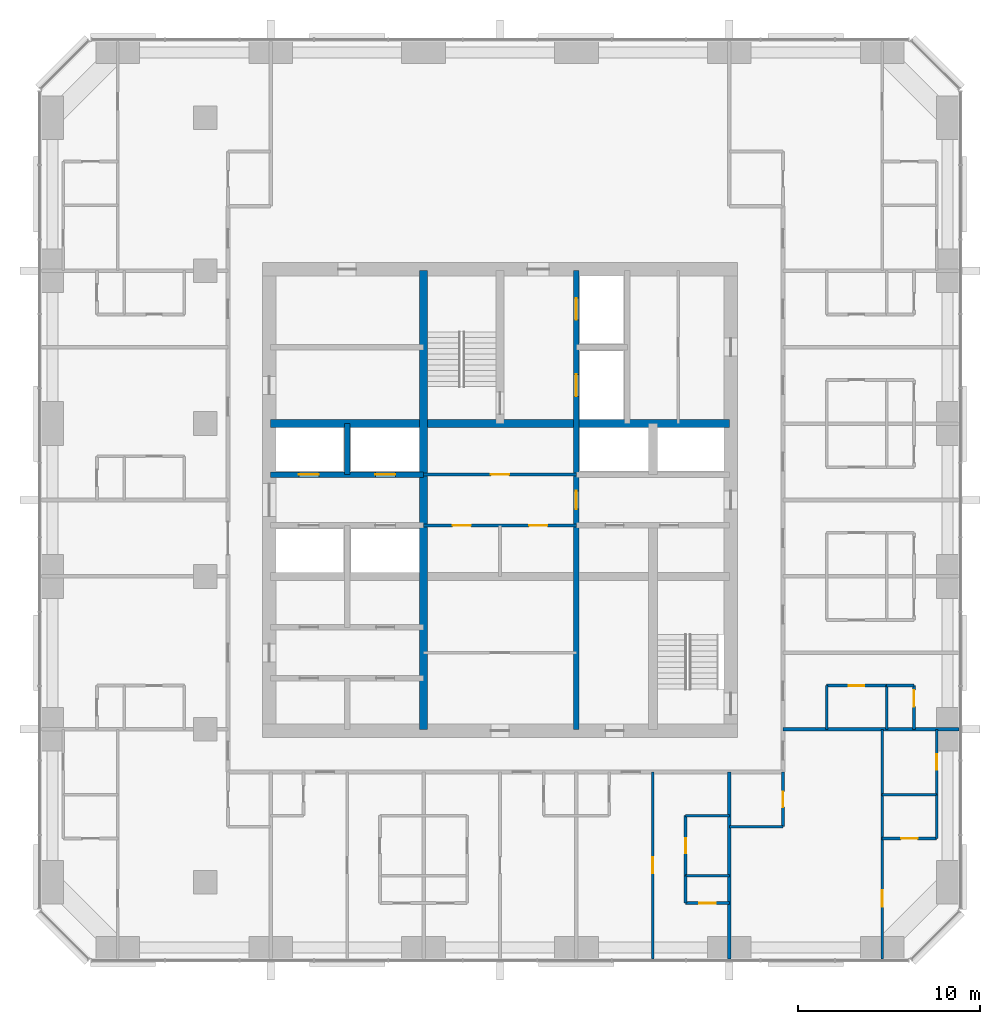
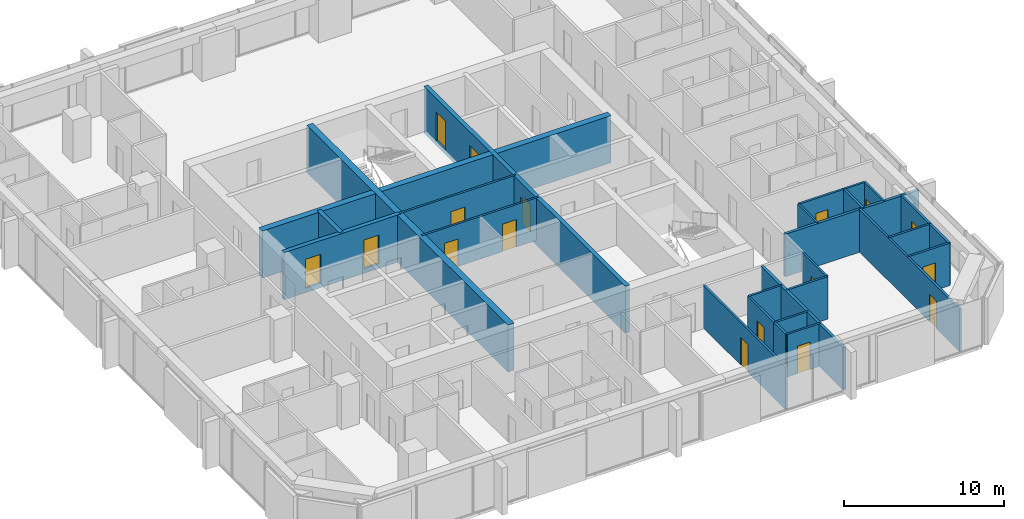
# One storey, part 10 of 14: 27 walls, 17 doors, 17 openings.
"""IFC4 building model written with IfcOpenShell, lengths in metres."""

from ifc_helpers import new_model, si_unit, direction, frame, frame_2d, origin, place, context, subcontext, project, spatial, rectangle, extrude, material, layer, layer_set, type_object, element, fill, save


model = new_model("IFC4")

# Units and contexts
model_context = context("Model", 3, precision=1e-05, world=origin(), true_north=direction((0.0, 1.0)))
body_context = subcontext(model_context, "Body", "Model", "MODEL_VIEW")
ifc_project = project(units=[si_unit("LENGTHUNIT", "METRE"), si_unit("AREAUNIT", "SQUARE_METRE"), si_unit("VOLUMEUNIT", "CUBIC_METRE"), si_unit("PLANEANGLEUNIT", "RADIAN"), si_unit("MASSUNIT", "GRAM", prefix="KILO")], contexts=[model_context])

# Site, building, storey
site_placement = place(None, origin())
site = spatial("IfcSite", under=ifc_project, at=site_placement, CompositionType="ELEMENT")
building_placement = place(site_placement, origin())
building = spatial("IfcBuilding", under=site, at=building_placement, Name="Dunama Terrace Hotel", CompositionType="ELEMENT")
storey_placement = place(building_placement, frame((0.0, 0.0, 177.0)))
storey = spatial("IfcBuildingStorey", under=building, at=storey_placement, Name="L45", CompositionType="ELEMENT", Elevation=177.0)

# Wall, opening, door
ifc_material_1 = material(Name="Gypsum board partition", Category="masonry")
ifc_layer_1 = layer(ifc_material_1, 0.14990234375)
ifc_layer_set_1 = layer_set([ifc_layer_1], Name="Bathroom partition 150")
wall_type_1 = type_object("IfcWallType", Name="Bathroom partition 150", PredefinedType="PARTITIONING", material=ifc_layer_set_1)
wall_1_placement = place(storey_placement, frame((39.60009765625, 8.75, 0.0), z_axis=(0.0, 0.0, 1.0), x_axis=(0.0, 1.0, 0.0)))
wall_1 = element("IfcWall", 1, at=wall_1_placement, inside=storey, type_object=wall_type_1, Name="Bathroom partition 150 L45", PredefinedType="PARTITIONING", context=body_context, shape_type="SweptSolid", body=[
    extrude(rectangle(XDim=3.300048828125, YDim=0.14990234375, at=frame_2d((1.64990234375, 0.0))), origin(), (0.0, 0.0, 1.0), 3.25),
])
opening_1_placement = place(wall_1_placement, frame((1.22509765625, 0.0, 0.0)))
opening_1 = element("IfcOpeningElement", 2, at=opening_1_placement, cuts=wall_1, Name="Opening L45-022", PredefinedType="OPENING", context=body_context, shape_type="SweptSolid", body=[
    extrude(rectangle(XDim=0.85009765625, YDim=2.10009765625, at=frame_2d((0.425048828125, 1.050048828125))), frame((0.0, 0.0849609375, 0.0), z_axis=(0.0, -1.0, 0.0), x_axis=(1.0, 0.0, 0.0)), (0.0, 0.0, 1.0), 0.169921875),
])
ifc_material_2 = material(Name="Timber door with steel frame", Category="steel")
door_type_1 = type_object("IfcDoorType", Name="Bathroom door 850", OperationType="SINGLE_SWING_LEFT", PredefinedType="DOOR", material=ifc_material_2)
door_1_placement = place(opening_1_placement, frame((0.85009765625, 0.0, 0.0), z_axis=(0.0, 0.0, 1.0), x_axis=(-1.0, 0.0, 0.0)))
door_1 = element("IfcDoor", 3, at=door_1_placement, inside=storey, type_object=door_type_1, Name="Door to en-suite bathroom L45-022, type D2", OperationType="SINGLE_SWING_RIGHT", OverallHeight=2.10009765625, OverallWidth=0.85009765625, PredefinedType="DOOR", context=body_context, shape_type="SweptSolid", body=[
    extrude(rectangle(XDim=0.85009765625, YDim=2.10009765625, at=frame_2d((0.425048828125, 1.050048828125))), frame((0.0, 0.025146484375, 0.0), z_axis=(0.0, -1.0, 0.0), x_axis=(1.0, 0.0, 0.0)), (0.0, 0.0, 1.0), 0.050048828125),
])
fill(opening_1, door_1)

wall_2_placement = place(storey_placement, frame((44.949951171875, 11.449951171875, 0.0), z_axis=(0.0, 0.0, 1.0), x_axis=(0.0, 1.0, 0.0)))
wall_2 = element("IfcWall", 4, at=wall_2_placement, inside=storey, type_object=wall_type_1, Name="Bathroom partition 150 L45", PredefinedType="PARTITIONING", context=body_context, shape_type="SweptSolid", body=[
    extrude(rectangle(XDim=3.0, YDim=0.14990234375, at=frame_2d((1.5, 0.0))), origin(), (0.0, 0.0, 1.0), 3.25),
])
opening_2_placement = place(wall_2_placement, frame((1.074951171875, 0.0, 0.0)))
opening_2 = element("IfcOpeningElement", 5, at=opening_2_placement, cuts=wall_2, Name="Opening L45-058", PredefinedType="OPENING", context=body_context, shape_type="SweptSolid", body=[
    extrude(rectangle(XDim=0.85009765625, YDim=2.10009765625, at=frame_2d((0.425048828125, 1.050048828125))), frame((0.0, 0.0849609375, 0.0), z_axis=(0.0, -1.0, 0.0), x_axis=(1.0, 0.0, 0.0)), (0.0, 0.0, 1.0), 0.169921875),
])
door_2_placement = place(opening_2_placement, origin())
door_2 = element("IfcDoor", 6, at=door_2_placement, inside=storey, type_object=door_type_1, Name="Door to powder room L45-058, type D2", OperationType="SINGLE_SWING_RIGHT", OverallHeight=2.10009765625, OverallWidth=0.85009765625, PredefinedType="DOOR", context=body_context, shape_type="SweptSolid", body=[
    extrude(rectangle(XDim=0.85009765625, YDim=2.10009765625, at=frame_2d((0.425048828125, 1.050048828125))), frame((0.0, 0.02490234375, 0.0), z_axis=(0.0, -1.0, 0.0), x_axis=(1.0, 0.0, 0.0)), (0.0, 0.0, 1.0), 0.050048828125),
])
fill(opening_2, door_2)

# Wall
wall_3_placement = place(storey_placement, frame((47.35009765625, 16.800048828125, 0.0), z_axis=(0.0, 0.0, 1.0), x_axis=(0.0, 1.0, 0.0)))
element("IfcWall", 7, at=wall_3_placement, inside=storey, type_object=wall_type_1, Name="Bathroom partition 150 L45", PredefinedType="PARTITIONING", context=body_context, shape_type="SweptSolid", body=[
    extrude(rectangle(XDim=2.39990234375, YDim=0.14990234375, at=frame_2d((1.199951171875, 0.0))), origin(), (0.0, 0.0, 1.0), 3.25),
])

# Wall, opening, door
wall_4_placement = place(storey_placement, frame((53.39990234375, 13.199951171875, 0.0), z_axis=(0.0, 0.0, 1.0), x_axis=(0.0, 1.0, 0.0)))
wall_4 = element("IfcWall", 8, at=wall_4_placement, inside=storey, type_object=wall_type_1, Name="Bathroom partition 150 L45", PredefinedType="PARTITIONING", context=body_context, shape_type="SweptSolid", body=[
    extrude(rectangle(XDim=3.60009765625, YDim=0.14990234375, at=frame_2d((1.800048828125, 0.0))), origin(), (0.0, 0.0, 1.0), 3.25),
])
opening_3_placement = place(wall_4_placement, frame((1.375, 0.0, 0.0)))
opening_3 = element("IfcOpeningElement", 9, at=opening_3_placement, cuts=wall_4, Name="Opening L45-060", PredefinedType="OPENING", context=body_context, shape_type="SweptSolid", body=[
    extrude(rectangle(XDim=0.85009765625, YDim=2.10009765625, at=frame_2d((0.425048828125, 1.050048828125))), frame((0.0, 0.0849609375, 0.0), z_axis=(0.0, -1.0, 0.0), x_axis=(1.0, 0.0, 0.0)), (0.0, 0.0, 1.0), 0.169921875),
])
door_3_placement = place(opening_3_placement, origin())
door_3 = element("IfcDoor", 10, at=door_3_placement, inside=storey, type_object=door_type_1, Name="Door to en-suite bathroom L45-060, type D2", OperationType="SINGLE_SWING_RIGHT", OverallHeight=2.10009765625, OverallWidth=0.85009765625, PredefinedType="DOOR", context=body_context, shape_type="SweptSolid", body=[
    extrude(rectangle(XDim=0.85009765625, YDim=2.10009765625, at=frame_2d((0.425048828125, 1.050048828125))), frame((0.0, 0.02490234375, 0.0), z_axis=(0.0, -1.0, 0.0), x_axis=(1.0, 0.0, 0.0)), (0.0, 0.0, 1.0), 0.050048828125),
])
fill(opening_3, door_3)

# Walls
wall_5_placement = place(storey_placement, frame((42.0, 11.449951171875, 0.0), z_axis=(0.0, 0.0, 1.0), x_axis=(1.0, 0.0, 0.0)))
element("IfcWall", 11, at=wall_5_placement, inside=storey, type_object=wall_type_1, Name="Bathroom partition 150 L45", PredefinedType="PARTITIONING", context=body_context, shape_type="SweptSolid", body=[
    extrude(rectangle(XDim=2.949951171875, YDim=0.14990234375, at=frame_2d((1.47509765625, 0.0))), origin(), (0.0, 0.0, 1.0), 3.25),
])
wall_6_placement = place(storey_placement, frame((39.60009765625, 12.050048828125, 0.0), z_axis=(0.0, 0.0, 1.0), x_axis=(1.0, 0.0, 0.0)))
element("IfcWall", 12, at=wall_6_placement, inside=storey, type_object=wall_type_1, Name="Bathroom partition 150 L45", PredefinedType="PARTITIONING", context=body_context, shape_type="SweptSolid", body=[
    extrude(rectangle(XDim=2.39990234375, YDim=0.14990234375, at=frame_2d((1.199951171875, 0.0))), origin(), (0.0, 0.0, 1.0), 3.25),
])

# Wall, opening, door
wall_7_placement = place(storey_placement, frame((47.35009765625, 19.199951171875, 0.0), z_axis=(0.0, 0.0, 1.0), x_axis=(1.0, 0.0, 0.0)))
wall_7 = element("IfcWall", 13, at=wall_7_placement, inside=storey, type_object=wall_type_1, Name="Bathroom partition 150 L45", PredefinedType="PARTITIONING", context=body_context, shape_type="SweptSolid", body=[
    extrude(rectangle(XDim=3.2998046875, YDim=0.14990234375, at=frame_2d((1.64990234375, 0.0))), origin(), (0.0, 0.0, 1.0), 3.25),
])
opening_4_placement = place(wall_7_placement, frame((1.22509765625, 0.0, 0.0)))
opening_4 = element("IfcOpeningElement", 14, at=opening_4_placement, cuts=wall_7, Name="Opening L45-025", PredefinedType="OPENING", context=body_context, shape_type="SweptSolid", body=[
    extrude(rectangle(XDim=0.85009765625, YDim=2.10009765625, at=frame_2d((0.425048828125, 1.050048828125))), frame((0.0, 0.0849609375, 0.0), z_axis=(0.0, -1.0, 0.0), x_axis=(1.0, 0.0, 0.0)), (0.0, 0.0, 1.0), 0.169921875),
])
door_4_placement = place(opening_4_placement, frame((0.85009765625, 0.0, 0.0), z_axis=(0.0, 0.0, 1.0), x_axis=(-1.0, 0.0, 0.0)))
door_4 = element("IfcDoor", 15, at=door_4_placement, inside=storey, type_object=door_type_1, Name="Door to en-suite bathroom L45-025, type D2", OperationType="SINGLE_SWING_LEFT", OverallHeight=2.10009765625, OverallWidth=0.85009765625, PredefinedType="DOOR", context=body_context, shape_type="SweptSolid", body=[
    extrude(rectangle(XDim=0.85009765625, YDim=2.10009765625, at=frame_2d((0.425048828125, 1.050048828125))), frame((0.0, 0.025146484375, 0.0), z_axis=(0.0, -1.0, 0.0), x_axis=(1.0, 0.0, 0.0)), (0.0, 0.0, 1.0), 0.050048828125),
])
fill(opening_4, door_4)

# Wall
ifc_material_3 = material(Name="Concrete C50/60", Category="concrete")
ifc_layer_2 = layer(ifc_material_3, 0.300048828125)
ifc_layer_set_2 = layer_set([ifc_layer_2], Name="Core inner wall 300")
wall_type_2 = type_object("IfcWallType", Name="Core inner wall 300", PredefinedType="SHEAR", material=ifc_layer_set_2)
wall_8_placement = place(storey_placement, frame((21.0, 30.800048828125, -0.35009765625), z_axis=(0.0, 0.0, 1.0), x_axis=(0.0, 1.0, 0.0)))
element("IfcWall", 16, at=wall_8_placement, inside=storey, type_object=wall_type_2, Name="Core inner wall 300 L45", PredefinedType="SHEAR", context=body_context, shape_type="SweptSolid", body=[
    extrude(rectangle(XDim=2.800048828125, YDim=0.300048828125, at=frame_2d((1.39990234375, 0.0))), origin(), (0.0, 0.0, 1.0), 3.60009765625),
])

# Wall, openings, doors
wall_9_placement = place(storey_placement, frame((33.60009765625, 16.800048828125, -0.35009765625), z_axis=(0.0, 0.0, 1.0), x_axis=(0.0, 1.0, 0.0)))
wall_9 = element("IfcWall", 17, at=wall_9_placement, inside=storey, type_object=wall_type_2, Name="Core inner wall 300 L45", PredefinedType="SHEAR", context=body_context, shape_type="SweptSolid", body=[
    extrude(rectangle(XDim=25.199951171875, YDim=0.300048828125, at=frame_2d((12.60009765625, 0.0))), origin(), (0.0, 0.0, 1.0), 3.60009765625),
])
opening_5_placement = place(wall_9_placement, frame((22.5, 0.0, 0.35009765625)))
opening_5 = element("IfcOpeningElement", 18, at=opening_5_placement, cuts=wall_9, Name="Opening L45-007", PredefinedType="OPENING", context=body_context, shape_type="SweptSolid", body=[
    extrude(rectangle(XDim=1.199951171875, YDim=2.199951171875, at=frame_2d((0.60009765625, 1.10009765625))), frame((0.0, 0.159912109375, 0.0), z_axis=(0.0, -1.0, 0.0), x_axis=(1.0, 0.0, 0.0)), (0.0, 0.0, 1.0), 0.320068359375),
])
opening_6_placement = place(wall_9_placement, frame((18.300048828125, 0.0, 0.35009765625)))
opening_6 = element("IfcOpeningElement", 19, at=opening_6_placement, cuts=wall_9, Name="Opening L45-008", PredefinedType="OPENING", context=body_context, shape_type="SweptSolid", body=[
    extrude(rectangle(XDim=1.199951171875, YDim=2.199951171875, at=frame_2d((0.60009765625, 1.10009765625))), frame((0.0, 0.159912109375, 0.0), z_axis=(0.0, -1.0, 0.0), x_axis=(1.0, 0.0, 0.0)), (0.0, 0.0, 1.0), 0.320068359375),
])
opening_7_placement = place(wall_9_placement, frame((12.10009765625, 0.0, 0.35009765625)))
opening_7 = element("IfcOpeningElement", 20, at=opening_7_placement, cuts=wall_9, Name="Opening L45-080", PredefinedType="OPENING", context=body_context, shape_type="SweptSolid", body=[
    extrude(rectangle(XDim=1.0, YDim=2.10009765625, at=frame_2d((0.5, 1.050048828125))), frame((0.0, 0.159912109375, 0.0), z_axis=(0.0, -1.0, 0.0), x_axis=(1.0, 0.0, 0.0)), (0.0, 0.0, 1.0), 0.320068359375),
])
ifc_material_4 = material(Name="Stainless steel lift door", Category="steel")
door_type_2 = type_object("IfcDoorType", Name="Firefighting lift landing door 1200", OperationType="DOUBLE_DOOR_SLIDING", PredefinedType="DOOR", material=ifc_material_4)
door_5_placement = place(opening_5_placement, origin())
door_5 = element("IfcDoor", 21, at=door_5_placement, inside=storey, type_object=door_type_2, Name="Landing door FL1 L45-007, type LD2", OperationType="DOUBLE_DOOR_SLIDING", OverallHeight=2.199951171875, OverallWidth=1.199951171875, PredefinedType="DOOR", context=body_context, shape_type="SweptSolid", body=[
    extrude(rectangle(XDim=1.199951171875, YDim=2.199951171875, at=frame_2d((0.60009765625, 1.10009765625))), frame((0.0, 0.02490234375, 0.0), z_axis=(0.0, -1.0, 0.0), x_axis=(1.0, 0.0, 0.0)), (0.0, 0.0, 1.0), 0.050048828125),
])
fill(opening_5, door_5)
door_6_placement = place(opening_6_placement, origin())
door_6 = element("IfcDoor", 22, at=door_6_placement, inside=storey, type_object=door_type_2, Name="Landing door FL2 L45-008, type LD2", OperationType="DOUBLE_DOOR_SLIDING", OverallHeight=2.199951171875, OverallWidth=1.199951171875, PredefinedType="DOOR", context=body_context, shape_type="SweptSolid", body=[
    extrude(rectangle(XDim=1.199951171875, YDim=2.199951171875, at=frame_2d((0.60009765625, 1.10009765625))), frame((0.0, 0.02490234375, 0.0), z_axis=(0.0, -1.0, 0.0), x_axis=(1.0, 0.0, 0.0)), (0.0, 0.0, 1.0), 0.050048828125),
])
fill(opening_6, door_6)
ifc_material_5 = material(Name="Timber door with steel frame", Category="steel")
door_type_3 = type_object("IfcDoorType", Name="Service door 1000", OperationType="SINGLE_SWING_LEFT", PredefinedType="DOOR", material=ifc_material_5)
door_7_placement = place(opening_7_placement, origin())
door_7 = element("IfcDoor", 23, at=door_7_placement, inside=storey, type_object=door_type_3, Name="Door to staff passage L45-080, type D7", OperationType="SINGLE_SWING_LEFT", OverallHeight=2.10009765625, OverallWidth=1.0, PredefinedType="DOOR", context=body_context, shape_type="SweptSolid", body=[
    extrude(rectangle(XDim=1.0, YDim=2.10009765625, at=frame_2d((0.5, 1.050048828125))), frame((0.0, 0.02490234375, 0.0), z_axis=(0.0, -1.0, 0.0), x_axis=(1.0, 0.0, 0.0)), (0.0, 0.0, 1.0), 0.050048828125),
])
fill(opening_7, door_7)

wall_10_placement = place(storey_placement, frame((16.800048828125, 30.800048828125, -0.35009765625), z_axis=(0.0, 0.0, 1.0), x_axis=(1.0, 0.0, 0.0)))
wall_10 = element("IfcWall", 24, at=wall_10_placement, inside=storey, type_object=wall_type_2, Name="Core inner wall 300 L45", PredefinedType="SHEAR", context=body_context, shape_type="SweptSolid", body=[
    extrude(rectangle(XDim=8.39990234375, YDim=0.300048828125, at=frame_2d((4.199951171875, 0.0))), origin(), (0.0, 0.0, 1.0), 3.60009765625),
])
opening_8_placement = place(wall_10_placement, frame((1.550048828125, 0.0, 0.35009765625)))
opening_8 = element("IfcOpeningElement", 25, at=opening_8_placement, cuts=wall_10, Name="Opening L45-005", PredefinedType="OPENING", context=body_context, shape_type="SweptSolid", body=[
    extrude(rectangle(XDim=1.10009765625, YDim=2.199951171875, at=frame_2d((0.550048828125, 1.10009765625))), frame((0.0, 0.159912109375, 0.0), z_axis=(0.0, -1.0, 0.0), x_axis=(1.0, 0.0, 0.0)), (0.0, 0.0, 1.0), 0.320068359375),
])
opening_9_placement = place(wall_10_placement, frame((5.75, 0.0, 0.35009765625)))
opening_9 = element("IfcOpeningElement", 26, at=opening_9_placement, cuts=wall_10, Name="Opening L45-006", PredefinedType="OPENING", context=body_context, shape_type="SweptSolid", body=[
    extrude(rectangle(XDim=1.10009765625, YDim=2.199951171875, at=frame_2d((0.550048828125, 1.10009765625))), frame((0.0, 0.159912109375, 0.0), z_axis=(0.0, -1.0, 0.0), x_axis=(1.0, 0.0, 0.0)), (0.0, 0.0, 1.0), 0.320068359375),
])
ifc_material_6 = material(Name="Stainless steel lift door", Category="steel")
door_type_4 = type_object("IfcDoorType", Name="Lift landing door 1100", OperationType="DOUBLE_DOOR_SLIDING", PredefinedType="DOOR", material=ifc_material_6)
door_8_placement = place(opening_8_placement, origin())
door_8 = element("IfcDoor", 27, at=door_8_placement, inside=storey, type_object=door_type_4, Name="Landing door PC3 L45-005, type LD1", OperationType="DOUBLE_DOOR_SLIDING", OverallHeight=2.199951171875, OverallWidth=1.10009765625, PredefinedType="DOOR", context=body_context, shape_type="SweptSolid", body=[
    extrude(rectangle(XDim=1.10009765625, YDim=2.199951171875, at=frame_2d((0.550048828125, 1.10009765625))), frame((0.0, 0.02490234375, 0.0), z_axis=(0.0, -1.0, 0.0), x_axis=(1.0, 0.0, 0.0)), (0.0, 0.0, 1.0), 0.050048828125),
])
fill(opening_8, door_8)
door_9_placement = place(opening_9_placement, origin())
door_9 = element("IfcDoor", 28, at=door_9_placement, inside=storey, type_object=door_type_4, Name="Landing door PC4 L45-006, type LD1", OperationType="DOUBLE_DOOR_SLIDING", OverallHeight=2.199951171875, OverallWidth=1.10009765625, PredefinedType="DOOR", context=body_context, shape_type="SweptSolid", body=[
    extrude(rectangle(XDim=1.10009765625, YDim=2.199951171875, at=frame_2d((0.550048828125, 1.10009765625))), frame((0.0, 0.02490234375, 0.0), z_axis=(0.0, -1.0, 0.0), x_axis=(1.0, 0.0, 0.0)), (0.0, 0.0, 1.0), 0.050048828125),
])
fill(opening_9, door_9)

# Walls
ifc_material_7 = material(Name="Concrete C50/60", Category="concrete")
ifc_layer_3 = layer(ifc_material_7, 0.449951171875)
ifc_layer_set_3 = layer_set([ifc_layer_3], Name="Core inner wall 450")
wall_type_3 = type_object("IfcWallType", Name="Core inner wall 450", PredefinedType="SHEAR", material=ifc_layer_set_3)
for number, where, z_axis, x_axis, name in (
    (29, (25.199951171875, 16.800048828125, -0.35009765625), (0.0, 0.0, 1.0), (0.0, 1.0, 0.0), "Core inner wall 450 L45"),
    (30, (16.800048828125, 33.60009765625, -0.35009765625), (0.0, 0.0, 1.0), (1.0, 0.0, 0.0), "Core inner wall 450 L45"),
):
    element("IfcWall", number, at=place(storey_placement, frame(where, z_axis=z_axis, x_axis=x_axis)), inside=storey, type_object=wall_type_3, Name=name, PredefinedType="SHEAR", context=body_context, shape_type="SweptSolid", body=[
        extrude(rectangle(XDim=25.199951171875, YDim=0.449951171875, at=frame_2d((12.60009765625, 0.0))), origin(), (0.0, 0.0, 1.0), 3.60009765625),
    ])
ifc_material_8 = material(Name="Concrete blockwork", Category="masonry")
ifc_layer_4 = layer(ifc_material_8, 0.199951171875)
ifc_layer_set_4 = layer_set([ifc_layer_4], Name="Party wall 200")
wall_type_4 = type_object("IfcWallType", Name="Party wall 200", PredefinedType="PARTITIONING", material=ifc_layer_set_4)
wall_11_placement = place(storey_placement, frame((42.0, 4.181884765625, 0.0), z_axis=(0.0, 0.0, 1.0), x_axis=(0.0, 1.0, 0.0)))
element("IfcWall", 31, at=wall_11_placement, inside=storey, type_object=wall_type_4, Name="Party wall 200 L45", PredefinedType="PARTITIONING", context=body_context, shape_type="SweptSolid", body=[
    extrude(rectangle(XDim=10.26806640625, YDim=0.199951171875, at=frame_2d((5.134033203125, 0.0))), origin(), (0.0, 0.0, 1.0), 3.25),
])
wall_12_placement = place(storey_placement, frame((44.949951171875, 16.800048828125, 0.0), z_axis=(0.0, 0.0, 1.0), x_axis=(1.0, 0.0, 0.0)))
element("IfcWall", 32, at=wall_12_placement, inside=storey, type_object=wall_type_4, Name="Party wall 200 L45", PredefinedType="PARTITIONING", context=body_context, shape_type="SweptSolid", body=[
    extrude(rectangle(XDim=9.66796875, YDim=0.199951171875, at=frame_2d((4.833984375, 0.0))), origin(), (0.0, 0.0, 1.0), 3.25),
])

# Wall, opening, door
ifc_material_9 = material(Name="Gypsum board partition", Category="masonry")
ifc_layer_5 = layer(ifc_material_9, 0.14990234375)
ifc_layer_set_5 = layer_set([ifc_layer_5], Name="Room partition 150")
wall_type_5 = type_object("IfcWallType", Name="Room partition 150", PredefinedType="PARTITIONING", material=ifc_layer_set_5)
wall_13_placement = place(storey_placement, frame((37.800048828125, 4.181884765625, 0.0), z_axis=(0.0, 0.0, 1.0), x_axis=(0.0, 1.0, 0.0)))
wall_13 = element("IfcWall", 33, at=wall_13_placement, inside=storey, type_object=wall_type_5, Name="Room partition 150 L45", PredefinedType="PARTITIONING", context=body_context, shape_type="SweptSolid", body=[
    extrude(rectangle(XDim=10.26806640625, YDim=0.14990234375, at=frame_2d((5.134033203125, 0.0))), origin(), (0.0, 0.0, 1.0), 3.25),
])
opening_10_placement = place(wall_13_placement, frame((4.693115234375, 0.0, 0.0)))
opening_10 = element("IfcOpeningElement", 34, at=opening_10_placement, cuts=wall_13, Name="Opening L45-021", PredefinedType="OPENING", context=body_context, shape_type="SweptSolid", body=[
    extrude(rectangle(XDim=0.89990234375, YDim=2.10009765625, at=frame_2d((0.449951171875, 1.050048828125))), frame((0.0, 0.0849609375, 0.0), z_axis=(0.0, -1.0, 0.0), x_axis=(1.0, 0.0, 0.0)), (0.0, 0.0, 1.0), 0.169921875),
])
ifc_material_10 = material(Name="Timber door with steel frame", Category="steel")
door_type_5 = type_object("IfcDoorType", Name="Suite internal door 900", OperationType="SINGLE_SWING_LEFT", PredefinedType="DOOR", material=ifc_material_10)
door_10_placement = place(opening_10_placement, frame((0.89990234375, 0.0, 0.0), z_axis=(0.0, 0.0, 1.0), x_axis=(-1.0, 0.0, 0.0)))
door_10 = element("IfcDoor", 35, at=door_10_placement, inside=storey, type_object=door_type_5, Name="Door to executive club suite bedroom L45-021, type D16", OperationType="SINGLE_SWING_RIGHT", OverallHeight=2.10009765625, OverallWidth=0.89990234375, PredefinedType="DOOR", context=body_context, shape_type="SweptSolid", body=[
    extrude(rectangle(XDim=0.89990234375, YDim=2.10009765625, at=frame_2d((0.449951171875, 1.050048828125))), frame((0.0, 0.025146484375, 0.0), z_axis=(0.0, -1.0, 0.0), x_axis=(1.0, 0.0, 0.0)), (0.0, 0.0, 1.0), 0.050048828125),
])
fill(opening_10, door_10)

# Wall
wall_14_placement = place(storey_placement, frame((39.60009765625, 7.25, 0.0), z_axis=(0.0, 0.0, 1.0), x_axis=(0.0, 1.0, 0.0)))
element("IfcWall", 36, at=wall_14_placement, inside=storey, type_object=wall_type_5, Name="Room partition 150 L45", PredefinedType="PARTITIONING", context=body_context, shape_type="SweptSolid", body=[
    extrude(rectangle(XDim=1.5, YDim=0.14990234375, at=frame_2d((0.75, 0.0))), origin(), (0.0, 0.0, 1.0), 3.25),
])

# Wall, opening, door
wall_15_placement = place(storey_placement, frame((50.39990234375, 4.181884765625, 0.0), z_axis=(0.0, 0.0, 1.0), x_axis=(0.0, 1.0, 0.0)))
wall_15 = element("IfcWall", 37, at=wall_15_placement, inside=storey, type_object=wall_type_5, Name="Room partition 150 L45", PredefinedType="PARTITIONING", context=body_context, shape_type="SweptSolid", body=[
    extrude(rectangle(XDim=12.6181640625, YDim=0.14990234375, at=frame_2d((6.30908203125, 0.0))), origin(), (0.0, 0.0, 1.0), 3.25),
])
opening_11_placement = place(wall_15_placement, frame((2.867919921875, 0.0, 0.0)))
opening_11 = element("IfcOpeningElement", 38, at=opening_11_placement, cuts=wall_15, Name="Opening L45-059", PredefinedType="OPENING", context=body_context, shape_type="SweptSolid", body=[
    extrude(rectangle(XDim=0.89990234375, YDim=2.10009765625, at=frame_2d((0.449951171875, 1.050048828125))), frame((0.0, 0.0849609375, 0.0), z_axis=(0.0, -1.0, 0.0), x_axis=(1.0, 0.0, 0.0)), (0.0, 0.0, 1.0), 0.169921875),
])
door_11_placement = place(opening_11_placement, frame((0.89990234375, 0.0, 0.0), z_axis=(0.0, 0.0, 1.0), x_axis=(-1.0, 0.0, 0.0)))
door_11 = element("IfcDoor", 39, at=door_11_placement, inside=storey, type_object=door_type_5, Name="Door to corner suite bedroom L45-059, type D16", OperationType="SINGLE_SWING_RIGHT", OverallHeight=2.10009765625, OverallWidth=0.89990234375, PredefinedType="DOOR", context=body_context, shape_type="SweptSolid", body=[
    extrude(rectangle(XDim=0.89990234375, YDim=2.10009765625, at=frame_2d((0.449951171875, 1.050048828125))), frame((0.0, 0.025146484375, 0.0), z_axis=(0.0, -1.0, 0.0), x_axis=(1.0, 0.0, 0.0)), (0.0, 0.0, 1.0), 0.050048828125),
])
fill(opening_11, door_11)

# Wall
wall_16_placement = place(storey_placement, frame((50.64990234375, 16.800048828125, 0.0), z_axis=(0.0, 0.0, 1.0), x_axis=(0.0, 1.0, 0.0)))
element("IfcWall", 40, at=wall_16_placement, inside=storey, type_object=wall_type_5, Name="Room partition 150 L45", PredefinedType="PARTITIONING", context=body_context, shape_type="SweptSolid", body=[
    extrude(rectangle(XDim=2.39990234375, YDim=0.14990234375, at=frame_2d((1.199951171875, 0.0))), origin(), (0.0, 0.0, 1.0), 3.25),
])

# Wall, opening, door
wall_17_placement = place(storey_placement, frame((52.14990234375, 16.800048828125, 0.0), z_axis=(0.0, 0.0, 1.0), x_axis=(0.0, 1.0, 0.0)))
wall_17 = element("IfcWall", 41, at=wall_17_placement, inside=storey, type_object=wall_type_5, Name="Room partition 150 L45", PredefinedType="PARTITIONING", context=body_context, shape_type="SweptSolid", body=[
    extrude(rectangle(XDim=2.39990234375, YDim=0.14990234375, at=frame_2d((1.199951171875, 0.0))), origin(), (0.0, 0.0, 1.0), 3.25),
])
opening_12_placement = place(wall_17_placement, frame((1.25, 0.0, 0.0)))
opening_12 = element("IfcOpeningElement", 42, at=opening_12_placement, cuts=wall_17, Name="Opening L45-026", PredefinedType="OPENING", context=body_context, shape_type="SweptSolid", body=[
    extrude(rectangle(XDim=0.89990234375, YDim=2.10009765625, at=frame_2d((0.449951171875, 1.050048828125))), frame((0.0, 0.0849609375, 0.0), z_axis=(0.0, -1.0, 0.0), x_axis=(1.0, 0.0, 0.0)), (0.0, 0.0, 1.0), 0.169921875),
])
door_12_placement = place(opening_12_placement, origin())
door_12 = element("IfcDoor", 43, at=door_12_placement, inside=storey, type_object=door_type_5, Name="Door to walk-in wardrobe L45-026, type D16", OperationType="SINGLE_SWING_RIGHT", OverallHeight=2.10009765625, OverallWidth=0.89990234375, PredefinedType="DOOR", context=body_context, shape_type="SweptSolid", body=[
    extrude(rectangle(XDim=0.89990234375, YDim=2.10009765625, at=frame_2d((0.449951171875, 1.050048828125))), frame((0.0, 0.02490234375, 0.0), z_axis=(0.0, -1.0, 0.0), x_axis=(1.0, 0.0, 0.0)), (0.0, 0.0, 1.0), 0.050048828125),
])
fill(opening_12, door_12)

# Wall
wall_18_placement = place(storey_placement, frame((53.39990234375, 10.800048828125, 0.0), z_axis=(0.0, 0.0, 1.0), x_axis=(0.0, 1.0, 0.0)))
element("IfcWall", 44, at=wall_18_placement, inside=storey, type_object=wall_type_5, Name="Room partition 150 L45", PredefinedType="PARTITIONING", context=body_context, shape_type="SweptSolid", body=[
    extrude(rectangle(XDim=2.39990234375, YDim=0.14990234375, at=frame_2d((1.199951171875, 0.0))), origin(), (0.0, 0.0, 1.0), 3.25),
])

# Wall, opening, door
wall_19_placement = place(storey_placement, frame((39.60009765625, 7.25, 0.0), z_axis=(0.0, 0.0, 1.0), x_axis=(1.0, 0.0, 0.0)))
wall_19 = element("IfcWall", 45, at=wall_19_placement, inside=storey, type_object=wall_type_5, Name="Room partition 150 L45", PredefinedType="PARTITIONING", context=body_context, shape_type="SweptSolid", body=[
    extrude(rectangle(XDim=2.39990234375, YDim=0.14990234375, at=frame_2d((1.199951171875, 0.0))), origin(), (0.0, 0.0, 1.0), 3.25),
])
opening_13_placement = place(wall_19_placement, frame((0.75, 0.0, 0.0)))
opening_13 = element("IfcOpeningElement", 46, at=opening_13_placement, cuts=wall_19, Name="Opening L45-023", PredefinedType="OPENING", context=body_context, shape_type="SweptSolid", body=[
    extrude(rectangle(XDim=0.89990234375, YDim=2.10009765625, at=frame_2d((0.449951171875, 1.050048828125))), frame((0.0, 0.0849609375, 0.0), z_axis=(0.0, -1.0, 0.0), x_axis=(1.0, 0.0, 0.0)), (0.0, 0.0, 1.0), 0.169921875),
])
door_13_placement = place(opening_13_placement, origin())
door_13 = element("IfcDoor", 47, at=door_13_placement, inside=storey, type_object=door_type_5, Name="Door to walk-in wardrobe L45-023, type D16", OperationType="SINGLE_SWING_LEFT", OverallHeight=2.10009765625, OverallWidth=0.89990234375, PredefinedType="DOOR", context=body_context, shape_type="SweptSolid", body=[
    extrude(rectangle(XDim=0.89990234375, YDim=2.10009765625, at=frame_2d((0.449951171875, 1.050048828125))), frame((0.0, 0.02490234375, 0.0), z_axis=(0.0, -1.0, 0.0), x_axis=(1.0, 0.0, 0.0)), (0.0, 0.0, 1.0), 0.050048828125),
])
fill(opening_13, door_13)

# Wall
wall_20_placement = place(storey_placement, frame((39.60009765625, 8.75, 0.0), z_axis=(0.0, 0.0, 1.0), x_axis=(1.0, 0.0, 0.0)))
element("IfcWall", 48, at=wall_20_placement, inside=storey, type_object=wall_type_5, Name="Room partition 150 L45", PredefinedType="PARTITIONING", context=body_context, shape_type="SweptSolid", body=[
    extrude(rectangle(XDim=2.39990234375, YDim=0.14990234375, at=frame_2d((1.199951171875, 0.0))), origin(), (0.0, 0.0, 1.0), 3.25),
])

# Wall, opening, door
wall_21_placement = place(storey_placement, frame((50.39990234375, 10.800048828125, 0.0), z_axis=(0.0, 0.0, 1.0), x_axis=(1.0, 0.0, 0.0)))
wall_21 = element("IfcWall", 49, at=wall_21_placement, inside=storey, type_object=wall_type_5, Name="Room partition 150 L45", PredefinedType="PARTITIONING", context=body_context, shape_type="SweptSolid", body=[
    extrude(rectangle(XDim=3.0, YDim=0.14990234375, at=frame_2d((1.5, 0.0))), origin(), (0.0, 0.0, 1.0), 3.25),
])
opening_14_placement = place(wall_21_placement, frame((1.050048828125, 0.0, 0.0)))
opening_14 = element("IfcOpeningElement", 50, at=opening_14_placement, cuts=wall_21, Name="Opening L45-061", PredefinedType="OPENING", context=body_context, shape_type="SweptSolid", body=[
    extrude(rectangle(XDim=0.89990234375, YDim=2.10009765625, at=frame_2d((0.449951171875, 1.050048828125))), frame((0.0, 0.0849609375, 0.0), z_axis=(0.0, -1.0, 0.0), x_axis=(1.0, 0.0, 0.0)), (0.0, 0.0, 1.0), 0.169921875),
])
door_14_placement = place(opening_14_placement, origin())
door_14 = element("IfcDoor", 51, at=door_14_placement, inside=storey, type_object=door_type_5, Name="Door to dressing room L45-061, type D16", OperationType="SINGLE_SWING_LEFT", OverallHeight=2.10009765625, OverallWidth=0.89990234375, PredefinedType="DOOR", context=body_context, shape_type="SweptSolid", body=[
    extrude(rectangle(XDim=0.89990234375, YDim=2.10009765625, at=frame_2d((0.449951171875, 1.050048828125))), frame((0.0, 0.02490234375, 0.0), z_axis=(0.0, -1.0, 0.0), x_axis=(1.0, 0.0, 0.0)), (0.0, 0.0, 1.0), 0.050048828125),
])
fill(opening_14, door_14)

# Walls
wall_22_placement = place(storey_placement, frame((50.39990234375, 13.199951171875, 0.0), z_axis=(0.0, 0.0, 1.0), x_axis=(1.0, 0.0, 0.0)))
element("IfcWall", 52, at=wall_22_placement, inside=storey, type_object=wall_type_5, Name="Room partition 150 L45", PredefinedType="PARTITIONING", context=body_context, shape_type="SweptSolid", body=[
    extrude(rectangle(XDim=3.0, YDim=0.14990234375, at=frame_2d((1.5, 0.0))), origin(), (0.0, 0.0, 1.0), 3.25),
])
wall_23_placement = place(storey_placement, frame((50.64990234375, 19.199951171875, 0.0), z_axis=(0.0, 0.0, 1.0), x_axis=(1.0, 0.0, 0.0)))
element("IfcWall", 53, at=wall_23_placement, inside=storey, type_object=wall_type_5, Name="Room partition 150 L45", PredefinedType="PARTITIONING", context=body_context, shape_type="SweptSolid", body=[
    extrude(rectangle(XDim=1.5, YDim=0.14990234375, at=frame_2d((0.75, 0.0))), origin(), (0.0, 0.0, 1.0), 3.25),
])

# Wall, openings, doors
wall_24_placement = place(storey_placement, frame((25.199951171875, 28.0, 0.0), z_axis=(0.0, 0.0, 1.0), x_axis=(1.0, 0.0, 0.0)))
wall_24 = element("IfcWall", 54, at=wall_24_placement, inside=storey, type_object=wall_type_5, Name="Room partition 150 L45", PredefinedType="PARTITIONING", context=body_context, shape_type="SweptSolid", body=[
    extrude(rectangle(XDim=8.400146484375, YDim=0.14990234375, at=frame_2d((4.2001953125, 0.0))), origin(), (0.0, 0.0, 1.0), 3.25),
])
opening_15_placement = place(wall_24_placement, frame((5.800048828125, 0.0, 0.0)))
opening_15 = element("IfcOpeningElement", 55, at=opening_15_placement, cuts=wall_24, Name="Opening L45-081", PredefinedType="OPENING", context=body_context, shape_type="SweptSolid", body=[
    extrude(rectangle(XDim=1.0, YDim=2.10009765625, at=frame_2d((0.5, 1.050048828125))), frame((0.0, 0.0849609375, 0.0), z_axis=(0.0, -1.0, 0.0), x_axis=(1.0, 0.0, 0.0)), (0.0, 0.0, 1.0), 0.169921875),
])
opening_16_placement = place(wall_24_placement, frame((1.60009765625, 0.0, 0.0)))
opening_16 = element("IfcOpeningElement", 56, at=opening_16_placement, cuts=wall_24, Name="Opening L45-082", PredefinedType="OPENING", context=body_context, shape_type="SweptSolid", body=[
    extrude(rectangle(XDim=1.0, YDim=2.10009765625, at=frame_2d((0.5, 1.050048828125))), frame((0.0, 0.0849609375, 0.0), z_axis=(0.0, -1.0, 0.0), x_axis=(1.0, 0.0, 0.0)), (0.0, 0.0, 1.0), 0.169921875),
])
door_15_placement = place(opening_15_placement, frame((1.0, 0.0, 0.0), z_axis=(0.0, 0.0, 1.0), x_axis=(-1.0, 0.0, 0.0)))
door_15 = element("IfcDoor", 57, at=door_15_placement, inside=storey, type_object=door_type_3, Name="Door to staff locker room L45-081, type D7", OperationType="SINGLE_SWING_LEFT", OverallHeight=2.10009765625, OverallWidth=1.0, PredefinedType="DOOR", context=body_context, shape_type="SweptSolid", body=[
    extrude(rectangle(XDim=1.0, YDim=2.10009765625, at=frame_2d((0.5, 1.050048828125))), frame((0.0, 0.025146484375, 0.0), z_axis=(0.0, -1.0, 0.0), x_axis=(1.0, 0.0, 0.0)), (0.0, 0.0, 1.0), 0.050048828125),
])
fill(opening_15, door_15)
door_16_placement = place(opening_16_placement, frame((1.0, 0.0, 0.0), z_axis=(0.0, 0.0, 1.0), x_axis=(-1.0, 0.0, 0.0)))
door_16 = element("IfcDoor", 58, at=door_16_placement, inside=storey, type_object=door_type_3, Name="Door to staff break room L45-082, type D7", OperationType="SINGLE_SWING_RIGHT", OverallHeight=2.10009765625, OverallWidth=1.0, PredefinedType="DOOR", context=body_context, shape_type="SweptSolid", body=[
    extrude(rectangle(XDim=1.0, YDim=2.10009765625, at=frame_2d((0.5, 1.050048828125))), frame((0.0, 0.025146484375, 0.0), z_axis=(0.0, -1.0, 0.0), x_axis=(1.0, 0.0, 0.0)), (0.0, 0.0, 1.0), 0.050048828125),
])
fill(opening_16, door_16)

# Wall, opening, door
wall_25_placement = place(storey_placement, frame((25.199951171875, 30.800048828125, 0.0), z_axis=(0.0, 0.0, 1.0), x_axis=(1.0, 0.0, 0.0)))
wall_25 = element("IfcWall", 59, at=wall_25_placement, inside=storey, type_object=wall_type_5, Name="Room partition 150 L45", PredefinedType="PARTITIONING", context=body_context, shape_type="SweptSolid", body=[
    extrude(rectangle(XDim=8.400146484375, YDim=0.14990234375, at=frame_2d((4.2001953125, 0.0))), origin(), (0.0, 0.0, 1.0), 3.25),
])
opening_17_placement = place(wall_25_placement, frame((3.699951171875, 0.0, 0.0)))
opening_17 = element("IfcOpeningElement", 60, at=opening_17_placement, cuts=wall_25, Name="Opening L45-083", PredefinedType="OPENING", context=body_context, shape_type="SweptSolid", body=[
    extrude(rectangle(XDim=1.0, YDim=2.10009765625, at=frame_2d((0.5, 1.050048828125))), frame((0.0, 0.0849609375, 0.0), z_axis=(0.0, -1.0, 0.0), x_axis=(1.0, 0.0, 0.0)), (0.0, 0.0, 1.0), 0.169921875),
])
door_17_placement = place(opening_17_placement, origin())
door_17 = element("IfcDoor", 61, at=door_17_placement, inside=storey, type_object=door_type_3, Name="Door to housekeeping store L45-083, type D7", OperationType="SINGLE_SWING_LEFT", OverallHeight=2.10009765625, OverallWidth=1.0, PredefinedType="DOOR", context=body_context, shape_type="SweptSolid", body=[
    extrude(rectangle(XDim=1.0, YDim=2.10009765625, at=frame_2d((0.5, 1.050048828125))), frame((0.0, 0.02490234375, 0.0), z_axis=(0.0, -1.0, 0.0), x_axis=(1.0, 0.0, 0.0)), (0.0, 0.0, 1.0), 0.050048828125),
])
fill(opening_17, door_17)

save(model, "model.ifc")
